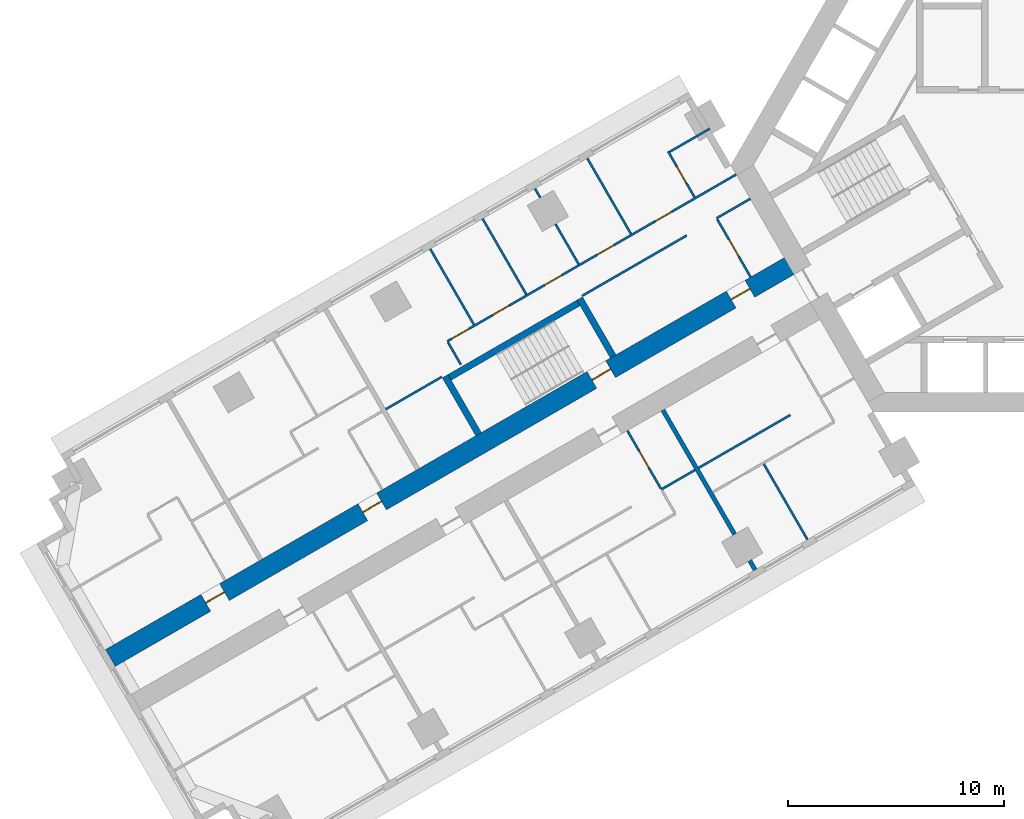
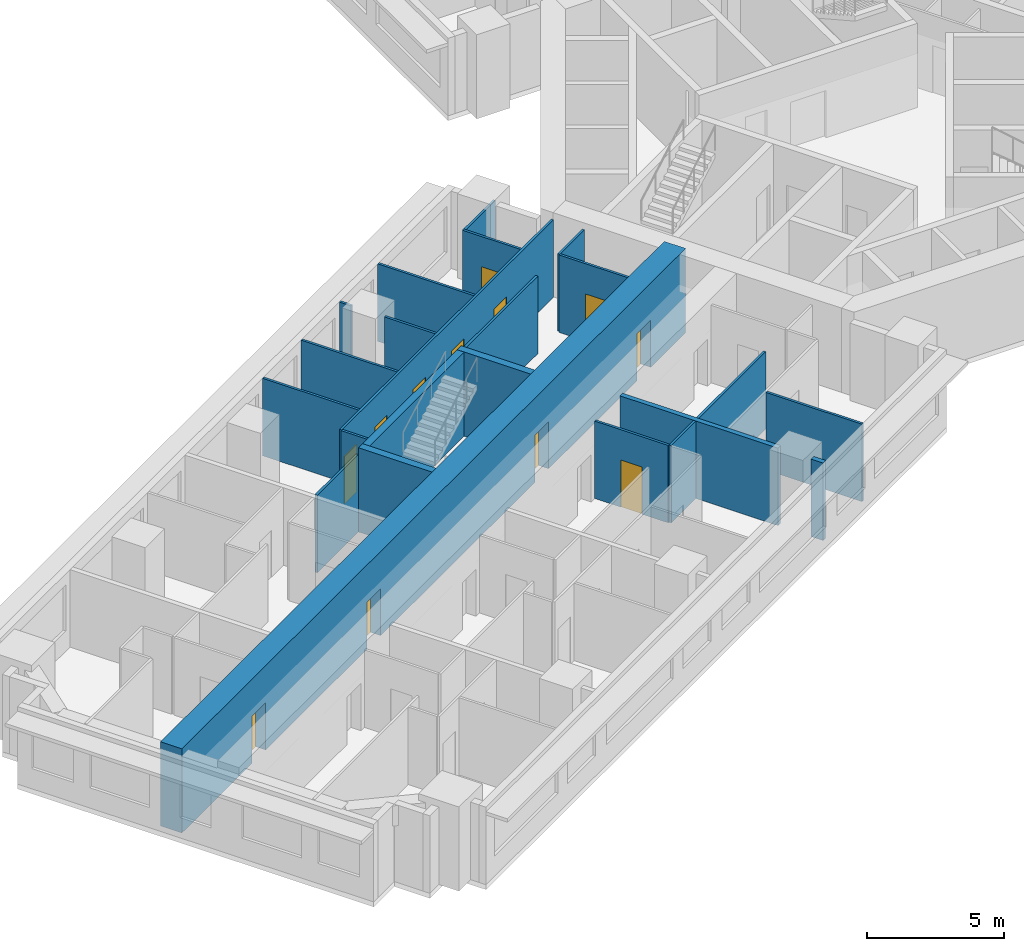
# One storey, part 4 of 14: 23 walls, 12 doors, 12 openings.
"""IFC4 building model written with IfcOpenShell, lengths in metres."""

from ifc_helpers import new_model, si_unit, direction, frame, frame_2d, origin, place, context, subcontext, project, spatial, rectangle, extrude, material, layer, layer_set, type_object, element, fill, save


model = new_model("IFC4")

# Units and contexts
model_context = context("Model", 3, precision=1e-05, world=origin(), true_north=direction((0.0, 1.0)))
body_context = subcontext(model_context, "Body", "Model", "MODEL_VIEW")
ifc_project = project(units=[si_unit("LENGTHUNIT", "METRE"), si_unit("AREAUNIT", "SQUARE_METRE"), si_unit("VOLUMEUNIT", "CUBIC_METRE"), si_unit("PLANEANGLEUNIT", "RADIAN"), si_unit("MASSUNIT", "GRAM", prefix="KILO")], contexts=[model_context])

# Site, building, storey
site_placement = place(None, origin())
site = spatial("IfcSite", under=ifc_project, at=site_placement, CompositionType="ELEMENT")
building_placement = place(site_placement, origin())
building = spatial("IfcBuilding", under=site, at=building_placement, Name="Impinga Residences", CompositionType="ELEMENT")
storey_placement = place(building_placement, frame((0.0, 0.0, 89.75)))
storey = spatial("IfcBuildingStorey", under=building, at=storey_placement, Name="L22", CompositionType="ELEMENT", Elevation=89.75)

# Wall, openings, doors
ifc_material_1 = material(Name="Concrete C70/85", Category="concrete")
ifc_layer_1 = layer(ifc_material_1, 0.89990234375)
ifc_layer_set_1 = layer_set([ifc_layer_1], Name="Concrete C70/85")
wall_type_1 = type_object("IfcWallType", Name="BW1 corridor buttress wall, L05 to L22 900", PredefinedType="SHEAR", material=ifc_layer_set_1)
wall_1_placement = place(storey_placement, frame((-10.1103515625, -4.451416015625, 0.0), z_axis=(0.0, 0.0, 1.0), x_axis=(-0.866025284237, -0.500000207062, 0.0)))
wall_1 = element("IfcWall", 1, at=wall_1_placement, inside=storey, type_object=wall_type_1, Name="Corridor wall BW1 WD L22", PredefinedType="SHEAR", context=body_context, shape_type="SweptSolid", body=[
    extrude(rectangle(XDim=36.75, YDim=0.89990234375, at=frame_2d((18.375, 0.0))), origin(), (0.0, 0.0, 1.0), 3.75),
])
opening_1_placement = place(wall_1_placement, frame((10.0, 0.0, 0.0)))
opening_1 = element("IfcOpeningElement", 2, at=opening_1_placement, cuts=wall_1, Name="Opening D5", PredefinedType="OPENING", context=body_context, shape_type="SweptSolid", body=[
    extrude(rectangle(XDim=1.0, YDim=2.10009765625, at=frame_2d((0.5, 1.050048828125))), frame((0.0, 0.4599609375, 0.0), z_axis=(0.0, -1.0, 0.0), x_axis=(1.0, 0.0, 0.0)), (0.0, 0.0, 1.0), 0.919921875),
])
opening_2_placement = place(wall_1_placement, frame((2.550048828125, 0.0, 0.0)))
opening_2 = element("IfcOpeningElement", 3, at=opening_2_placement, cuts=wall_1, Name="Opening D1", PredefinedType="OPENING", context=body_context, shape_type="SweptSolid", body=[
    extrude(rectangle(XDim=1.0, YDim=2.10009765625, at=frame_2d((0.5, 1.050048828125))), frame((0.0, 0.4599609375, 0.0), z_axis=(0.0, -1.0, 0.0), x_axis=(1.0, 0.0, 0.0)), (0.0, 0.0, 1.0), 0.919921875),
])
opening_3_placement = place(wall_1_placement, frame((22.25, 0.0, 0.0)))
opening_3 = element("IfcOpeningElement", 4, at=opening_3_placement, cuts=wall_1, Name="Opening D1", PredefinedType="OPENING", context=body_context, shape_type="SweptSolid", body=[
    extrude(rectangle(XDim=1.0, YDim=2.10009765625, at=frame_2d((0.5, 1.050048828125))), frame((0.0, 0.4599609375, 0.0), z_axis=(0.0, -1.0, 0.0), x_axis=(1.0, 0.0, 0.0)), (0.0, 0.0, 1.0), 0.919921875),
])
opening_4_placement = place(wall_1_placement, frame((30.64990234375, 0.0, 0.0)))
opening_4 = element("IfcOpeningElement", 5, at=opening_4_placement, cuts=wall_1, Name="Opening D1", PredefinedType="OPENING", context=body_context, shape_type="SweptSolid", body=[
    extrude(rectangle(XDim=1.0, YDim=2.10009765625, at=frame_2d((0.5, 1.050048828125))), frame((0.0, 0.4599609375, 0.0), z_axis=(0.0, -1.0, 0.0), x_axis=(1.0, 0.0, 0.0)), (0.0, 0.0, 1.0), 0.919921875),
])
ifc_material_2 = material(Name="Timber door set", Category="wood")
door_type_1 = type_object("IfcDoorType", Name="D1 apartment entrance door 1000x2100", OperationType="SINGLE_SWING_LEFT", PredefinedType="DOOR", material=ifc_material_2)
door_1_placement = place(opening_2_placement, origin())
door_1 = element("IfcDoor", 6, at=door_1_placement, inside=storey, type_object=door_type_1, Name="Apartment L22-WF1 entrance", OperationType="SINGLE_SWING_LEFT", OverallHeight=2.10009765625, OverallWidth=1.0, PredefinedType="DOOR", context=body_context, shape_type="SweptSolid", body=[
    extrude(rectangle(XDim=1.0, YDim=2.10009765625, at=frame_2d((0.5, 1.050048828125))), frame((0.0, 0.02490234375, 0.0), z_axis=(0.0, -1.0, 0.0), x_axis=(1.0, 0.0, 0.0)), (0.0, 0.0, 1.0), 0.050048828125),
])
fill(opening_2, door_1)
door_2_placement = place(opening_3_placement, origin())
door_2 = element("IfcDoor", 7, at=door_2_placement, inside=storey, type_object=door_type_1, Name="Apartment L22-WF2 entrance", OperationType="SINGLE_SWING_RIGHT", OverallHeight=2.10009765625, OverallWidth=1.0, PredefinedType="DOOR", context=body_context, shape_type="SweptSolid", body=[
    extrude(rectangle(XDim=1.0, YDim=2.10009765625, at=frame_2d((0.5, 1.050048828125))), frame((0.0, 0.02490234375, 0.0), z_axis=(0.0, -1.0, 0.0), x_axis=(1.0, 0.0, 0.0)), (0.0, 0.0, 1.0), 0.050048828125),
])
fill(opening_3, door_2)
door_3_placement = place(opening_4_placement, origin())
door_3 = element("IfcDoor", 8, at=door_3_placement, inside=storey, type_object=door_type_1, Name="Apartment L22-WF3 entrance", OperationType="SINGLE_SWING_RIGHT", OverallHeight=2.10009765625, OverallWidth=1.0, PredefinedType="DOOR", context=body_context, shape_type="SweptSolid", body=[
    extrude(rectangle(XDim=1.0, YDim=2.10009765625, at=frame_2d((0.5, 1.050048828125))), frame((0.0, 0.02490234375, 0.0), z_axis=(0.0, -1.0, 0.0), x_axis=(1.0, 0.0, 0.0)), (0.0, 0.0, 1.0), 0.050048828125),
])
fill(opening_4, door_3)
door_type_2 = type_object("IfcDoorType", Name="D5 stair door 1000x2100", OperationType="SINGLE_SWING_LEFT", PredefinedType="DOOR", material=ifc_material_2)
door_4_placement = place(opening_1_placement, origin())
door_4 = element("IfcDoor", 9, at=door_4_placement, inside=storey, type_object=door_type_2, Name="Wing stair door W", OperationType="SINGLE_SWING_LEFT", OverallHeight=2.10009765625, OverallWidth=1.0, PredefinedType="DOOR", context=body_context, shape_type="SweptSolid", body=[
    extrude(rectangle(XDim=1.0, YDim=2.10009765625, at=frame_2d((0.5, 1.050048828125))), frame((0.0, 0.02490234375, 0.0), z_axis=(0.0, -1.0, 0.0), x_axis=(1.0, 0.0, 0.0)), (0.0, 0.0, 1.0), 0.050048828125),
])
fill(opening_1, door_4)

# Walls
ifc_material_3 = material(Name="Gypsum board on steel studs", Category="steel")
ifc_layer_2 = layer(ifc_material_3, 0.10009765625)
ifc_layer_set_2 = layer_set([ifc_layer_2], Name="Gypsum board on steel studs")
wall_type_2 = type_object("IfcWallType", Name="IP1 partition 100", PredefinedType="PARTITIONING", material=ifc_layer_set_2)
wall_2_placement = place(storey_placement, frame((-10.444580078125, -11.57275390625, 0.0), z_axis=(0.0, 0.0, 1.0), x_axis=(-0.866023786258, -0.500002801628, 0.0)))
element("IfcWall", 10, at=wall_2_placement, inside=storey, type_object=wall_type_2, Name="Partition L22-WA1:DIV1", PredefinedType="PARTITIONING", context=body_context, shape_type="SweptSolid", body=[
    extrude(rectangle(XDim=4.89990234375, YDim=0.10009765625, at=frame_2d((2.449951171875, 0.0))), origin(), (0.0, 0.0, 1.0), 3.449951171875),
])
wall_3_placement = place(storey_placement, frame((-11.6748046875, -13.841796875, 0.0), z_axis=(0.0, 0.0, 1.0), x_axis=(0.500035537042, -0.866004885491, 0.0)))
element("IfcWall", 11, at=wall_3_placement, inside=storey, type_object=wall_type_2, Name="Partition L22-WA1:OB1", PredefinedType="PARTITIONING", context=body_context, shape_type="SweptSolid", body=[
    extrude(rectangle(XDim=4.050048828125, YDim=0.10009765625, at=frame_2d((2.02490234375, 0.0))), origin(), (0.0, 0.0, 1.0), 3.449951171875),
])
wall_4_placement = place(storey_placement, frame((-14.861328125, -14.122802734375, 0.0), z_axis=(0.0, 0.0, 1.0), x_axis=(-0.866047807691, -0.499961193289, 0.0)))
element("IfcWall", 12, at=wall_4_placement, inside=storey, type_object=wall_type_2, Name="Partition L22-WA2:DIV0", PredefinedType="PARTITIONING", context=body_context, shape_type="SweptSolid", body=[
    extrude(rectangle(XDim=1.800048828125, YDim=0.10009765625, at=frame_2d((0.89990234375, 0.0))), origin(), (0.0, 0.0, 1.0), 3.449951171875),
])

# Wall, opening, door
wall_5_placement = place(storey_placement, frame((-17.9951171875, -12.294677734375, 0.0), z_axis=(0.0, 0.0, 1.0), x_axis=(0.49999285859, -0.86602952684, 0.0)))
wall_5 = element("IfcWall", 13, at=wall_5_placement, inside=storey, type_object=wall_type_2, Name="Partition L22-WA2:IB1", PredefinedType="PARTITIONING", context=body_context, shape_type="SweptSolid", body=[
    extrude(rectangle(XDim=3.10009765625, YDim=0.10009765625, at=frame_2d((1.550048828125, 0.0))), origin(), (0.0, 0.0, 1.0), 3.449951171875),
])
opening_5_placement = place(wall_5_placement, frame((1.10009765625, 0.0, 0.0)))
opening_5 = element("IfcOpeningElement", 14, at=opening_5_placement, cuts=wall_5, Name="Opening D2", PredefinedType="OPENING", context=body_context, shape_type="SweptSolid", body=[
    extrude(rectangle(XDim=0.89990234375, YDim=2.10009765625, at=frame_2d((0.449951171875, 1.050048828125))), frame((0.0, 0.06005859375, 0.0), z_axis=(0.0, -1.0, 0.0), x_axis=(1.0, 0.0, 0.0)), (0.0, 0.0, 1.0), 0.1201171875),
])
door_type_3 = type_object("IfcDoorType", Name="D2 internal door 900x2100", OperationType="SINGLE_SWING_LEFT", PredefinedType="DOOR", material=ifc_material_2)
door_5_placement = place(opening_5_placement, origin())
door_5 = element("IfcDoor", 15, at=door_5_placement, inside=storey, type_object=door_type_3, Name="Apartment L22-WA2 bathroom door", OperationType="SINGLE_SWING_LEFT", OverallHeight=2.10009765625, OverallWidth=0.89990234375, PredefinedType="DOOR", context=body_context, shape_type="SweptSolid", body=[
    extrude(rectangle(XDim=0.89990234375, YDim=2.10009765625, at=frame_2d((0.449951171875, 1.050048828125))), frame((0.0, 0.02490234375, 0.0), z_axis=(0.0, -1.0, 0.0), x_axis=(1.0, 0.0, 0.0)), (0.0, 0.0, 1.0), 0.050048828125),
])
fill(opening_5, door_5)

# Walls
wall_6_placement = place(storey_placement, frame((-12.300048828125, -1.558837890625, 0.0), z_axis=(0.0, 0.0, 1.0), x_axis=(-0.866047807691, -0.499961193289, 0.0)))
element("IfcWall", 16, at=wall_6_placement, inside=storey, type_object=wall_type_2, Name="Partition L22-WF1:DIV0", PredefinedType="PARTITIONING", context=body_context, shape_type="SweptSolid", body=[
    extrude(rectangle(XDim=1.800048828125, YDim=0.10009765625, at=frame_2d((0.89990234375, 0.0))), origin(), (0.0, 0.0, 1.0), 3.449951171875),
])
wall_7_placement = place(storey_placement, frame((-15.244384765625, -3.2587890625, 0.0), z_axis=(0.0, 0.0, 1.0), x_axis=(-0.866026594901, -0.49999793692, 0.0)))
element("IfcWall", 17, at=wall_7_placement, inside=storey, type_object=wall_type_2, Name="Partition L22-WF1:DIV1", PredefinedType="PARTITIONING", context=body_context, shape_type="SweptSolid", body=[
    extrude(rectangle(XDim=5.60009765625, YDim=0.10009765625, at=frame_2d((2.800048828125, 0.0))), origin(), (0.0, 0.0, 1.0), 3.449951171875),
])
wall_8_placement = place(storey_placement, frame((-26.58935546875, -9.808837890625, 0.0), z_axis=(0.0, 0.0, 1.0), x_axis=(-0.866031096941, -0.499990139034, 0.0)))
element("IfcWall", 18, at=wall_8_placement, inside=storey, type_object=wall_type_2, Name="Partition L22-WF1:DIV2", PredefinedType="PARTITIONING", context=body_context, shape_type="SweptSolid", body=[
    extrude(rectangle(XDim=3.0, YDim=0.10009765625, at=frame_2d((1.5, 0.0))), origin(), (0.0, 0.0, 1.0), 3.449951171875),
])

# Wall, openings, doors
wall_9_placement = place(storey_placement, frame((-12.949951171875, -0.43310546875, 0.0), z_axis=(0.0, 0.0, 1.0), x_axis=(-0.866030066916, -0.499991923133, 0.0)))
wall_9 = element("IfcWall", 19, at=wall_9_placement, inside=storey, type_object=wall_type_2, Name="Partition L22-WF1:STRIP", PredefinedType="PARTITIONING", context=body_context, shape_type="SweptSolid", body=[
    extrude(rectangle(XDim=15.449951171875, YDim=0.10009765625, at=frame_2d((7.72509765625, 0.0))), origin(), (0.0, 0.0, 1.0), 3.449951171875),
])
opening_6_placement = place(wall_9_placement, frame((3.449951171875, 0.0, 0.0)))
opening_6 = element("IfcOpeningElement", 20, at=opening_6_placement, cuts=wall_9, Name="Opening D2", PredefinedType="OPENING", context=body_context, shape_type="SweptSolid", body=[
    extrude(rectangle(XDim=0.89990234375, YDim=2.10009765625, at=frame_2d((0.449951171875, 1.050048828125))), frame((0.0, 0.06005859375, 0.0), z_axis=(0.0, -1.0, 0.0), x_axis=(1.0, 0.0, 0.0)), (0.0, 0.0, 1.0), 0.1201171875),
])
opening_7_placement = place(wall_9_placement, frame((6.550048828125, 0.0, 0.0)))
opening_7 = element("IfcOpeningElement", 21, at=opening_7_placement, cuts=wall_9, Name="Opening D2", PredefinedType="OPENING", context=body_context, shape_type="SweptSolid", body=[
    extrude(rectangle(XDim=0.89990234375, YDim=2.10009765625, at=frame_2d((0.449951171875, 1.050048828125))), frame((0.0, 0.06005859375, 0.0), z_axis=(0.0, -1.0, 0.0), x_axis=(1.0, 0.0, 0.0)), (0.0, 0.0, 1.0), 0.1201171875),
])
opening_8_placement = place(wall_9_placement, frame((9.35009765625, 0.0, 0.0)))
opening_8 = element("IfcOpeningElement", 22, at=opening_8_placement, cuts=wall_9, Name="Opening D2", PredefinedType="OPENING", context=body_context, shape_type="SweptSolid", body=[
    extrude(rectangle(XDim=0.89990234375, YDim=2.10009765625, at=frame_2d((0.449951171875, 1.050048828125))), frame((0.0, 0.06005859375, 0.0), z_axis=(0.0, -1.0, 0.0), x_axis=(1.0, 0.0, 0.0)), (0.0, 0.0, 1.0), 0.1201171875),
])
opening_9_placement = place(wall_9_placement, frame((12.14990234375, 0.0, 0.0)))
opening_9 = element("IfcOpeningElement", 23, at=opening_9_placement, cuts=wall_9, Name="Opening D2", PredefinedType="OPENING", context=body_context, shape_type="SweptSolid", body=[
    extrude(rectangle(XDim=0.89990234375, YDim=2.10009765625, at=frame_2d((0.449951171875, 1.050048828125))), frame((0.0, 0.06005859375, 0.0), z_axis=(0.0, -1.0, 0.0), x_axis=(1.0, 0.0, 0.0)), (0.0, 0.0, 1.0), 0.1201171875),
])
opening_10_placement = place(wall_9_placement, frame((14.300048828125, 0.0, 0.0)))
opening_10 = element("IfcOpeningElement", 24, at=opening_10_placement, cuts=wall_9, Name="Opening D2", PredefinedType="OPENING", context=body_context, shape_type="SweptSolid", body=[
    extrude(rectangle(XDim=0.89990234375, YDim=2.10009765625, at=frame_2d((0.449951171875, 1.050048828125))), frame((0.0, 0.06005859375, 0.0), z_axis=(0.0, -1.0, 0.0), x_axis=(1.0, 0.0, 0.0)), (0.0, 0.0, 1.0), 0.1201171875),
])
door_6_placement = place(opening_6_placement, origin())
door_6 = element("IfcDoor", 25, at=door_6_placement, inside=storey, type_object=door_type_3, Name="Apartment L22-WF1 room door", OperationType="SINGLE_SWING_LEFT", OverallHeight=2.10009765625, OverallWidth=0.89990234375, PredefinedType="DOOR", context=body_context, shape_type="SweptSolid", body=[
    extrude(rectangle(XDim=0.89990234375, YDim=2.10009765625, at=frame_2d((0.449951171875, 1.050048828125))), frame((0.0, 0.02490234375, 0.0), z_axis=(0.0, -1.0, 0.0), x_axis=(1.0, 0.0, 0.0)), (0.0, 0.0, 1.0), 0.050048828125),
])
fill(opening_6, door_6)
door_7_placement = place(opening_7_placement, origin())
door_7 = element("IfcDoor", 26, at=door_7_placement, inside=storey, type_object=door_type_3, Name="Apartment L22-WF1 room door", OperationType="SINGLE_SWING_LEFT", OverallHeight=2.10009765625, OverallWidth=0.89990234375, PredefinedType="DOOR", context=body_context, shape_type="SweptSolid", body=[
    extrude(rectangle(XDim=0.89990234375, YDim=2.10009765625, at=frame_2d((0.449951171875, 1.050048828125))), frame((0.0, 0.02490234375, 0.0), z_axis=(0.0, -1.0, 0.0), x_axis=(1.0, 0.0, 0.0)), (0.0, 0.0, 1.0), 0.050048828125),
])
fill(opening_7, door_7)
door_8_placement = place(opening_8_placement, origin())
door_8 = element("IfcDoor", 27, at=door_8_placement, inside=storey, type_object=door_type_3, Name="Apartment L22-WF1 room door", OperationType="SINGLE_SWING_RIGHT", OverallHeight=2.10009765625, OverallWidth=0.89990234375, PredefinedType="DOOR", context=body_context, shape_type="SweptSolid", body=[
    extrude(rectangle(XDim=0.89990234375, YDim=2.10009765625, at=frame_2d((0.449951171875, 1.050048828125))), frame((0.0, 0.02490234375, 0.0), z_axis=(0.0, -1.0, 0.0), x_axis=(1.0, 0.0, 0.0)), (0.0, 0.0, 1.0), 0.050048828125),
])
fill(opening_8, door_8)
door_9_placement = place(opening_9_placement, origin())
door_9 = element("IfcDoor", 28, at=door_9_placement, inside=storey, type_object=door_type_3, Name="Apartment L22-WF1 room door", OperationType="SINGLE_SWING_RIGHT", OverallHeight=2.10009765625, OverallWidth=0.89990234375, PredefinedType="DOOR", context=body_context, shape_type="SweptSolid", body=[
    extrude(rectangle(XDim=0.89990234375, YDim=2.10009765625, at=frame_2d((0.449951171875, 1.050048828125))), frame((0.0, 0.02490234375, 0.0), z_axis=(0.0, -1.0, 0.0), x_axis=(1.0, 0.0, 0.0)), (0.0, 0.0, 1.0), 0.050048828125),
])
fill(opening_9, door_9)
door_10_placement = place(opening_10_placement, origin())
door_10 = element("IfcDoor", 29, at=door_10_placement, inside=storey, type_object=door_type_3, Name="Apartment L22-WF1 room door", OperationType="SINGLE_SWING_RIGHT", OverallHeight=2.10009765625, OverallWidth=0.89990234375, PredefinedType="DOOR", context=body_context, shape_type="SweptSolid", body=[
    extrude(rectangle(XDim=0.89990234375, YDim=2.10009765625, at=frame_2d((0.449951171875, 1.050048828125))), frame((0.0, 0.02490234375, 0.0), z_axis=(0.0, -1.0, 0.0), x_axis=(1.0, 0.0, 0.0)), (0.0, 0.0, 1.0), 0.050048828125),
])
fill(opening_10, door_10)

# Wall
wall_10_placement = place(storey_placement, frame((-25.705078125, -9.240478515625, 0.0), z_axis=(0.0, 0.0, 1.0), x_axis=(-0.50012165622, 0.865955154139, 0.0)))
element("IfcWall", 30, at=wall_10_placement, inside=storey, type_object=wall_type_2, Name="Partition L22-WF1:SE1", PredefinedType="PARTITIONING", context=body_context, shape_type="SweptSolid", body=[
    extrude(rectangle(XDim=1.199951171875, YDim=0.10009765625, at=frame_2d((0.60009765625, 0.0))), origin(), (0.0, 0.0, 1.0), 3.449951171875),
])

# Wall, opening, door
wall_11_placement = place(storey_placement, frame((-12.283935546875, -5.186767578125, 0.0), z_axis=(0.0, 0.0, 1.0), x_axis=(-0.499967891604, 0.866043940782, 0.0)))
wall_11 = element("IfcWall", 31, at=wall_11_placement, inside=storey, type_object=wall_type_2, Name="Partition L22-WF1:IB1", PredefinedType="PARTITIONING", context=body_context, shape_type="SweptSolid", body=[
    extrude(rectangle(XDim=3.099853515625, YDim=0.10009765625, at=frame_2d((1.5498046875, 0.0))), origin(), (0.0, 0.0, 1.0), 3.449951171875),
])
opening_11_placement = place(wall_11_placement, frame((1.10009765625, 0.0, 0.0)))
opening_11 = element("IfcOpeningElement", 32, at=opening_11_placement, cuts=wall_11, Name="Opening D2", PredefinedType="OPENING", context=body_context, shape_type="SweptSolid", body=[
    extrude(rectangle(XDim=0.89990234375, YDim=2.10009765625, at=frame_2d((0.449951171875, 1.050048828125))), frame((0.0, 0.06005859375, 0.0), z_axis=(0.0, -1.0, 0.0), x_axis=(1.0, 0.0, 0.0)), (0.0, 0.0, 1.0), 0.1201171875),
])
door_11_placement = place(opening_11_placement, origin())
door_11 = element("IfcDoor", 33, at=door_11_placement, inside=storey, type_object=door_type_3, Name="Apartment L22-WF1 bathroom door", OperationType="SINGLE_SWING_LEFT", OverallHeight=2.10009765625, OverallWidth=0.89990234375, PredefinedType="DOOR", context=body_context, shape_type="SweptSolid", body=[
    extrude(rectangle(XDim=0.89990234375, YDim=2.10009765625, at=frame_2d((0.449951171875, 1.050048828125))), frame((0.0, 0.02490234375, 0.0), z_axis=(0.0, -1.0, 0.0), x_axis=(1.0, 0.0, 0.0)), (0.0, 0.0, 1.0), 0.050048828125),
])
fill(opening_11, door_11)

# Walls
wall_12_placement = place(storey_placement, frame((-17.82470703125, -3.189697265625, 0.0), z_axis=(0.0, 0.0, 1.0), x_axis=(-0.500035537042, 0.866004885491, 0.0)))
element("IfcWall", 34, at=wall_12_placement, inside=storey, type_object=wall_type_2, Name="Partition L22-WF1:OB1", PredefinedType="PARTITIONING", context=body_context, shape_type="SweptSolid", body=[
    extrude(rectangle(XDim=4.050048828125, YDim=0.10009765625, at=frame_2d((2.02490234375, 0.0))), origin(), (0.0, 0.0, 1.0), 3.449951171875),
])
wall_13_placement = place(storey_placement, frame((-20.24951171875, -4.589599609375, 0.0), z_axis=(0.0, 0.0, 1.0), x_axis=(-0.500095966228, 0.865969990567, 0.0)))
element("IfcWall", 35, at=wall_13_placement, inside=storey, type_object=wall_type_2, Name="Partition L22-WF1:OB2", PredefinedType="PARTITIONING", context=body_context, shape_type="SweptSolid", body=[
    extrude(rectangle(XDim=2.14990234375, YDim=0.10009765625, at=frame_2d((1.074951171875, 0.0))), origin(), (0.0, 0.0, 1.0), 3.449951171875),
])
wall_14_placement = place(storey_placement, frame((-22.024658203125, -1.515380859375, 0.0), z_axis=(0.0, 0.0, 1.0), x_axis=(-0.499919672301, 0.866071776036, 0.0)))
element("IfcWall", 36, at=wall_14_placement, inside=storey, type_object=wall_type_2, Name="Partition L22-WF1:OB2b", PredefinedType="PARTITIONING", context=body_context, shape_type="SweptSolid", body=[
    extrude(rectangle(XDim=0.5, YDim=0.10009765625, at=frame_2d((0.25, 0.0))), origin(), (0.0, 0.0, 1.0), 3.449951171875),
])
for number, where, z_axis, x_axis, name in (
    (37, (-22.674560546875, -5.98974609375, 0.0), (0.0, 0.0, 1.0), (-0.499990325971, 0.866030989016, 0.0), "Partition L22-WF1:OB3"),
    (38, (-25.099365234375, -7.3896484375, 0.0), (0.0, 0.0, 1.0), (-0.499990325971, 0.866030989016, 0.0), "Partition L22-WF1:OB4"),
):
    element("IfcWall", number, at=place(storey_placement, frame(where, z_axis=z_axis, x_axis=x_axis)), inside=storey, type_object=wall_type_2, Name=name, PredefinedType="PARTITIONING", context=body_context, shape_type="SweptSolid", body=[
        extrude(rectangle(XDim=4.0498046875, YDim=0.10009765625, at=frame_2d((2.02490234375, 0.0))), origin(), (0.0, 0.0, 1.0), 3.449951171875),
    ])

# Wall, opening, door
wall_15_placement = place(storey_placement, frame((-14.88037109375, -1.48974609375, 0.0), z_axis=(0.0, 0.0, 1.0), x_axis=(-0.499943856944, 0.866057815567, 0.0)))
wall_15 = element("IfcWall", 39, at=wall_15_placement, inside=storey, type_object=wall_type_2, Name="Partition L22-WF1:EN1", PredefinedType="PARTITIONING", context=body_context, shape_type="SweptSolid", body=[
    extrude(rectangle(XDim=2.449951171875, YDim=0.10009765625, at=frame_2d((1.22509765625, 0.0))), origin(), (0.0, 0.0, 1.0), 3.449951171875),
])
opening_12_placement = place(wall_15_placement, frame((0.75, 0.0, 0.0)))
opening_12 = element("IfcOpeningElement", 40, at=opening_12_placement, cuts=wall_15, Name="Opening D2", PredefinedType="OPENING", context=body_context, shape_type="SweptSolid", body=[
    extrude(rectangle(XDim=0.89990234375, YDim=2.10009765625, at=frame_2d((0.449951171875, 1.050048828125))), frame((0.0, 0.06005859375, 0.0), z_axis=(0.0, -1.0, 0.0), x_axis=(1.0, 0.0, 0.0)), (0.0, 0.0, 1.0), 0.1201171875),
])
door_12_placement = place(opening_12_placement, origin())
door_12 = element("IfcDoor", 41, at=door_12_placement, inside=storey, type_object=door_type_3, Name="Apartment L22-WF1 en-suite door", OperationType="SINGLE_SWING_LEFT", OverallHeight=2.10009765625, OverallWidth=0.89990234375, PredefinedType="DOOR", context=body_context, shape_type="SweptSolid", body=[
    extrude(rectangle(XDim=0.89990234375, YDim=2.10009765625, at=frame_2d((0.449951171875, 1.050048828125))), frame((0.0, 0.02490234375, 0.0), z_axis=(0.0, -1.0, 0.0), x_axis=(1.0, 0.0, 0.0)), (0.0, 0.0, 1.0), 0.050048828125),
])
fill(opening_12, door_12)

# Walls
wall_16_placement = place(storey_placement, frame((-14.175048828125, 1.688720703125, 0.0), z_axis=(0.0, 0.0, 1.0), x_axis=(-0.866019166195, -0.500010803666, 0.0)))
element("IfcWall", 42, at=wall_16_placement, inside=storey, type_object=wall_type_2, Name="Partition L22-WF1:EN2", PredefinedType="PARTITIONING", context=body_context, shape_type="SweptSolid", body=[
    extrude(rectangle(XDim=2.14990234375, YDim=0.10009765625, at=frame_2d((1.074951171875, 0.0))), origin(), (0.0, 0.0, 1.0), 3.449951171875),
])
ifc_material_4 = material(Name="Concrete blockwork", Category="masonry")
ifc_layer_3 = layer(ifc_material_4, 0.199951171875)
ifc_layer_set_3 = layer_set([ifc_layer_3], Name="PW1 party wall between apartments 200")
wall_type_3 = type_object("IfcWallType", Name="PW1 party wall between apartments 200", PredefinedType="SOLIDWALL", material=ifc_layer_set_3)
wall_17_placement = place(storey_placement, frame((-16.349609375, -11.3447265625, 0.0), z_axis=(0.0, 0.0, 1.0), x_axis=(0.49999681972, -0.866027239912, 0.0)))
element("IfcWall", 43, at=wall_17_placement, inside=storey, type_object=wall_type_3, Name="Party wall between apartments L22-WA1:PARTY", PredefinedType="SOLIDWALL", context=body_context, shape_type="SweptSolid", body=[
    extrude(rectangle(XDim=6.64990234375, YDim=0.199951171875, at=frame_2d((3.324951171875, 0.0))), origin(), (0.0, 0.0, 1.0), 3.449951171875),
])
wall_18_placement = place(storey_placement, frame((-12.32470703125, -18.316162109375, 0.0), z_axis=(0.0, 0.0, 1.0), x_axis=(0.499919672301, -0.866071776036, 0.0)))
element("IfcWall", 44, at=wall_18_placement, inside=storey, type_object=wall_type_3, Name="Party wall between apartments L22-WA1:PARTYb", PredefinedType="SOLIDWALL", context=body_context, shape_type="SweptSolid", body=[
    extrude(rectangle(XDim=0.5, YDim=0.199951171875, at=frame_2d((0.25, 0.0))), origin(), (0.0, 0.0, 1.0), 3.449951171875),
])
ifc_material_5 = material(Name="Concrete C60/75", Category="concrete")
ifc_layer_4 = layer(ifc_material_5, 0.300048828125)
ifc_layer_set_4 = layer_set([ifc_layer_4], Name="Concrete C60/75")
wall_type_4 = type_object("IfcWallType", Name="SE1 wing stair enclosure wall 300", PredefinedType="SOLIDWALL", material=ifc_layer_set_4)
wall_19_placement = place(storey_placement, frame((-18.649169921875, -8.86181640625, 0.0), z_axis=(0.0, 0.0, 1.0), x_axis=(-0.500026960575, 0.86600983753, 0.0)))
element("IfcWall", 45, at=wall_19_placement, inside=storey, type_object=wall_type_4, Name="Stair enclosure wall SE1 W END0 L22", PredefinedType="SOLIDWALL", context=body_context, shape_type="SweptSolid", body=[
    extrude(rectangle(XDim=3.099853515625, YDim=0.300048828125, at=frame_2d((1.5498046875, 0.0))), origin(), (0.0, 0.0, 1.0), 3.75),
])
wall_20_placement = place(storey_placement, frame((-24.884521484375, -12.4619140625, 0.0), z_axis=(0.0, 0.0, 1.0), x_axis=(-0.49999285859, 0.86602952684, 0.0)))
element("IfcWall", 46, at=wall_20_placement, inside=storey, type_object=wall_type_4, Name="Stair enclosure wall SE1 W END1 L22", PredefinedType="SOLIDWALL", context=body_context, shape_type="SweptSolid", body=[
    extrude(rectangle(XDim=3.10009765625, YDim=0.300048828125, at=frame_2d((1.550048828125, 0.0))), origin(), (0.0, 0.0, 1.0), 3.75),
])
wall_21_placement = place(storey_placement, frame((-20.254150390625, -6.382080078125, 0.0), z_axis=(0.0, 0.0, 1.0), x_axis=(-0.866020008033, -0.500009345598, 0.0)))
element("IfcWall", 47, at=wall_21_placement, inside=storey, type_object=wall_type_4, Name="Stair enclosure wall SE1 W OUT L22", PredefinedType="SOLIDWALL", context=body_context, shape_type="SweptSolid", body=[
    extrude(rectangle(XDim=6.899658203125, YDim=0.300048828125, at=frame_2d((3.44970703125, 0.0))), origin(), (0.0, 0.0, 1.0), 3.75),
])

save(model, "model.ifc")
